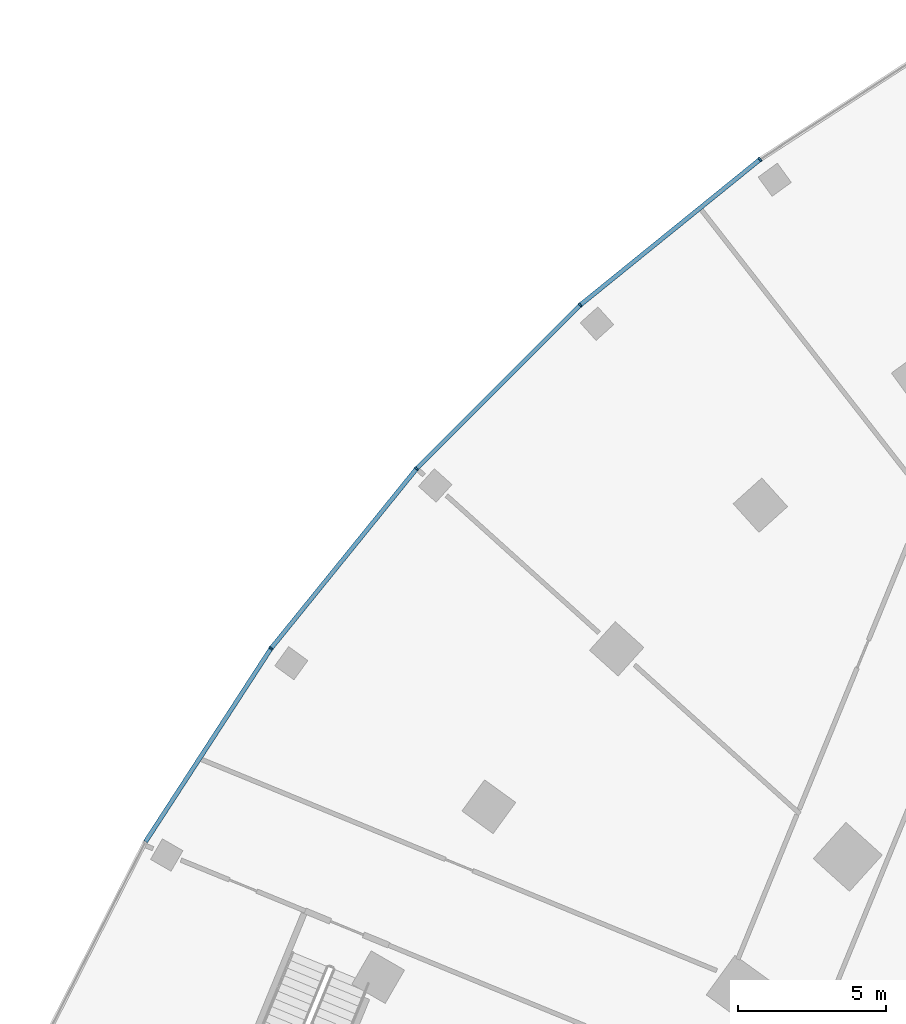
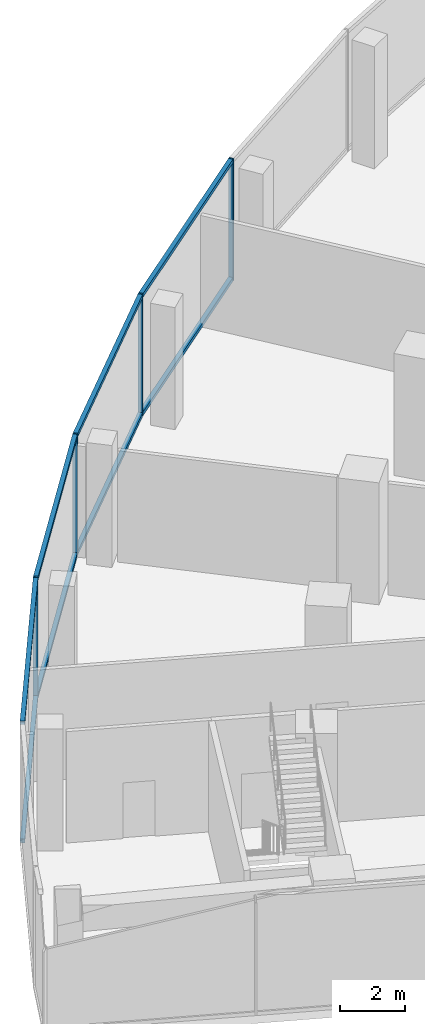
# One storey, part 6 of 40: 12 members, 1 element without a shape of its own.
"""IFC4 building model written with IfcOpenShell, lengths in metres."""

import ifcopenshell
import ifcopenshell.guid

model = None  # the IFC model being written
_history = None  # IfcOwnerHistory: only IFC2X3 demands one
_inside = {}  # id of a spatial element -> (the spatial element, [elements in it])
_under = {}  # id of a project, library or spatial element -> (it, [spatial elements below it])
_declared = {}  # id of a project -> (the project, [libraries it declares])
_typed = {}  # id of a type object -> (the type object, [elements of that type])
_made_of = {}  # id of a material, layer set ... -> (it, [elements and type objects made of it])


def new_model(schema):
    """Start an empty IFC model of exactly this schema.

    Asked for "IFC4X3", IfcOpenShell would pick the latest addendum, in which some entities
    have other attributes; the version numbers below select the first issue.
    IFC2X3 requires an IfcOwnerHistory on every rooted entity: one is made here for all.
    """
    global model, _history
    if schema == "IFC4X3":
        model = ifcopenshell.file(schema_version=(4, 3, 0, 0))
    else:
        model = ifcopenshell.file(schema=schema)
    _inside.clear()
    _under.clear()
    _declared.clear()
    _typed.clear()
    _made_of.clear()
    _history = None
    if model.schema == "IFC2X3":
        org = make("IfcOrganization", Name="unknown")
        user = make(
            "IfcPersonAndOrganization",
            ThePerson=make("IfcPerson", FamilyName="unknown"),
            TheOrganization=org,
        )
        app = make(
            "IfcApplication",
            ApplicationDeveloper=org,
            Version="unknown",
            ApplicationFullName="unknown",
            ApplicationIdentifier="unknown",
        )
        _history = make(
            "IfcOwnerHistory",
            OwningUser=user,
            OwningApplication=app,
            ChangeAction="ADDED",
            CreationDate=0,
        )
    return model


def make(cls, **values):
    """One entity of the class cls with the attributes given. An attribute that is None is left unset."""
    return model.create_entity(
        cls, **{name: value for name, value in values.items() if value is not None}
    )


def rooted(cls, **values):
    """An entity with a GlobalId (a new one), such as an element, a storey or a relation."""
    return make(cls, GlobalId=ifcopenshell.guid.new(), OwnerHistory=_history, **values)


def si_unit(unit_type, name, prefix=None):
    """IfcSIUnit, for example si_unit("LENGTHUNIT", "METRE", prefix="MILLI")."""
    return make("IfcSIUnit", UnitType=unit_type, Prefix=prefix, Name=name)


def assignment(units):
    """IfcUnitAssignment: the units of a project."""
    return None if units is None else make("IfcUnitAssignment", Units=units)


def point(xyz):
    """IfcCartesianPoint."""
    return None if xyz is None else make("IfcCartesianPoint", Coordinates=xyz)


def direction(xyz):
    """IfcDirection."""
    return None if xyz is None else make("IfcDirection", DirectionRatios=xyz)


def frame(location, z_axis=None, x_axis=None):
    """IfcAxis2Placement3D, a coordinate frame: its origin and axes. An axis left out is left unset."""
    return make(
        "IfcAxis2Placement3D",
        Location=point(location),
        Axis=direction(z_axis),
        RefDirection=direction(x_axis),
    )


def frame_2d(location, x_axis=None):
    """IfcAxis2Placement2D, a coordinate frame in the plane: its origin and x axis."""
    return make(
        "IfcAxis2Placement2D", Location=point(location), RefDirection=direction(x_axis)
    )


def origin():
    """The frame at (0, 0, 0) with its axes left unset."""
    return frame((0.0, 0.0, 0.0))


def origin_2d():
    """The frame at (0, 0) in the plane with its x axis left unset."""
    return frame_2d((0.0, 0.0))


def place(relative_to, where):
    """IfcLocalPlacement: puts the frame where relative to a parent placement (None: the world)."""
    return make(
        "IfcLocalPlacement", PlacementRelTo=relative_to, RelativePlacement=where
    )


def context(
    kind, dimensions, precision=None, world=None, true_north=None, identifier=None
):
    """IfcGeometricRepresentationContext, for example the 3D "Model" context."""
    return make(
        "IfcGeometricRepresentationContext",
        ContextIdentifier=identifier,
        ContextType=kind,
        CoordinateSpaceDimension=dimensions,
        Precision=precision,
        WorldCoordinateSystem=world,
        TrueNorth=true_north,
    )


def subcontext(parent, identifier, kind, view, scale=None):
    """IfcGeometricRepresentationSubContext, for example "Body" below "Model"."""
    return make(
        "IfcGeometricRepresentationSubContext",
        ContextIdentifier=identifier,
        ContextType=kind,
        ParentContext=parent,
        TargetScale=scale,
        TargetView=view,
    )


def project(units=None, contexts=None):
    """IfcProject with its units and contexts."""
    return rooted(
        "IfcProject",
        Name="project",
        RepresentationContexts=contexts,
        UnitsInContext=assignment(units),
    )


def spatial(cls, under=None, at=None, **own):
    """A site, building, storey or space (cls), placed at a placement, below another one or the project."""
    s = rooted(cls, ObjectPlacement=at, **own)
    if under is not None:
        _under.setdefault(under.id(), (under, []))[1].append(s)
    return s


def profile(cls, at=None, kind="AREA", **sizes):
    """A parametric profile (cls). Its sizes go by their IFC names, for example OverallWidth=200.0."""
    return make(cls, ProfileType=kind, Position=at, **sizes)


def rectangle(**sizes):
    """IfcRectangleProfileDef."""
    return profile("IfcRectangleProfileDef", **sizes)


def extrude(swept, where, along, depth):
    """IfcExtrudedAreaSolid: the profile swept, set in the frame where, extruded along a direction by depth."""
    return make(
        "IfcExtrudedAreaSolid",
        SweptArea=swept,
        Position=where,
        ExtrudedDirection=direction(along),
        Depth=depth,
    )


def shape(context_of_items, identifier, shape_type, items):
    """IfcShapeRepresentation: the items that make up one representation, for example the "Body"."""
    return make(
        "IfcShapeRepresentation",
        ContextOfItems=context_of_items,
        RepresentationIdentifier=identifier,
        RepresentationType=shape_type,
        Items=items,
    )


def material(Name=None, Category=None):
    """IfcMaterial."""
    return make("IfcMaterial", Name=Name, Category=Category)


def layer(
    of_material, thickness, ventilated=None, Name=None, Category=None, Priority=None
):
    """IfcMaterialLayer: one layer of a wall or slab, of a material (None: an air gap)."""
    return make(
        "IfcMaterialLayer",
        Material=of_material,
        LayerThickness=thickness,
        IsVentilated=ventilated,
        Name=Name,
        Category=Category,
        Priority=Priority,
    )


def layer_set(layers, Name=None):
    """IfcMaterialLayerSet."""
    return make("IfcMaterialLayerSet", MaterialLayers=layers, LayerSetName=Name)


def material_profile(
    of_material, cross_section, Name=None, Category=None, Priority=None
):
    """IfcMaterialProfile: a cross section and its material."""
    return make(
        "IfcMaterialProfile",
        Name=Name,
        Material=of_material,
        Profile=cross_section,
        Priority=Priority,
        Category=Category,
    )


def profile_set(profiles, Name=None, composite=None):
    """IfcMaterialProfileSet."""
    return make(
        "IfcMaterialProfileSet",
        Name=Name,
        MaterialProfiles=profiles,
        CompositeProfile=composite,
    )


def made_of(thing, what):
    """Note that an element or type object is made of a material, layer set ...; save() writes the relation."""
    if what is not None:
        _made_of.setdefault(what.id(), (what, []))[1].append(thing)
    return thing


def type_object(cls, material=None, **own):
    """A type object (cls), such as IfcWallType, which elements share."""
    return made_of(rooted(cls, **own), material)


def element(
    cls,
    number,
    at=None,
    inside=None,
    cuts=None,
    type_object=None,
    material=None,
    context=None,
    identifier="Body",
    shape_type=None,
    held_by="IfcProductDefinitionShape",
    body=None,
    shapes=None,
    **own,
):
    """One element of the class cls, such as IfcWall. Its Tag is "e" and its number.

    at: its placement. inside: the storey or other place that contains it. cuts: it is an
    opening in that element (IfcRelVoidsElement). A single representation is given by context,
    identifier, shape_type and body (its items); several are given by shapes. held_by: the class
    of the entity that holds the representations. save() writes the other relations.
    """
    e = rooted(cls, Tag="e%d" % number, ObjectPlacement=at, **own)
    if body is not None:
        shapes = [shape(context, identifier, shape_type, body)]
    if shapes is not None:
        e.Representation = make(held_by, Representations=shapes)
    if inside is not None:
        _inside.setdefault(inside.id(), (inside, []))[1].append(e)
    if cuts is not None:
        rooted(
            "IfcRelVoidsElement", RelatingBuildingElement=cuts, RelatedOpeningElement=e
        )
    if type_object is not None:
        _typed.setdefault(type_object.id(), (type_object, []))[1].append(e)
    return made_of(e, material)


def aggregate(whole, parts):
    """IfcRelAggregates: a whole, such as a stair, and the parts it consists of."""
    return rooted("IfcRelAggregates", RelatingObject=whole, RelatedObjects=parts)


def save(model, path):
    """Write the relations noted so far, then the file.

    IfcRelAggregates (storeys below a building ...), IfcRelContainedInSpatialStructure (elements
    in a storey), IfcRelDefinesByType, IfcRelAssociatesMaterial and IfcRelDeclares: one each for
    every whole, place, type object, material and project.
    """
    for whole, parts in _under.values():
        aggregate(whole, parts)
    for where, things in _inside.values():
        rooted(
            "IfcRelContainedInSpatialStructure",
            RelatedElements=things,
            RelatingStructure=where,
        )
    for kind, things in _typed.values():
        rooted("IfcRelDefinesByType", RelatedObjects=things, RelatingType=kind)
    for what, things in _made_of.values():
        rooted("IfcRelAssociatesMaterial", RelatedObjects=things, RelatingMaterial=what)
    for by, libraries in _declared.values():
        rooted("IfcRelDeclares", RelatingContext=by, RelatedDefinitions=libraries)
    model.write(path)


model = new_model("IFC4")

# Units and contexts
model_context = context("Model", 3, precision=1e-05, world=origin(), true_north=direction((0.0, 1.0)))
body_context = subcontext(model_context, "Body", "Model", "MODEL_VIEW")
ifc_project = project(units=[si_unit("LENGTHUNIT", "METRE"), si_unit("AREAUNIT", "SQUARE_METRE"), si_unit("VOLUMEUNIT", "CUBIC_METRE"), si_unit("PLANEANGLEUNIT", "RADIAN"), si_unit("MASSUNIT", "GRAM", prefix="KILO")], contexts=[model_context])

# Site, building, storey
site_placement = place(None, origin())
site = spatial("IfcSite", under=ifc_project, at=site_placement, CompositionType="ELEMENT")
building_placement = place(site_placement, origin())
building = spatial("IfcBuilding", under=site, at=building_placement, Name="Stone Belt Terrace Tower", CompositionType="ELEMENT")
storey_placement = place(building_placement, frame((0.0, 0.0, 11.60009765625)))
storey = spatial("IfcBuildingStorey", under=building, at=storey_placement, Name="L02", CompositionType="ELEMENT", Elevation=11.60009765625)

# Curtain wall, members
ifc_material = material(Name="Aluminium 6063-T6 anodised frame", Category="aluminium")
ifc_layer = layer(ifc_material, 0.14990234375)
ifc_layer_set = layer_set([ifc_layer], Name="CW-D podium shopfront")
curtain_wall_type = type_object("IfcCurtainWallType", Name="CW-D podium shopfront", PredefinedType="NOTDEFINED", material=ifc_layer_set)
curtain_wall_placement = place(storey_placement, origin())
curtain_wall = element("IfcCurtainWall", 1, at=curtain_wall_placement, inside=storey, type_object=curtain_wall_type, Name="CW-D convex face L02", PredefinedType="NOTDEFINED")
ifc_material_profile_1 = material_profile(ifc_material, rectangle(XDim=0.14990234375, YDim=0.06005859375, at=origin_2d()), Name="Aluminium 6063-T6 60x150")
ifc_profile_set_1 = profile_set([ifc_material_profile_1], Name="Aluminium 6063-T6 anodised frame")
member_type_1 = type_object("IfcMemberType", Name="CW-D mullion 60 x 150", PredefinedType="MULLION", material=ifc_profile_set_1)
member_1_placement = place(storey_placement, frame((-43.834228515625, 60.33251953125, 0.0), z_axis=(0.0, 0.0, 1.0), x_axis=(0.587785252292, -0.809016994375, 0.0)))
member_1 = element("IfcMember", 2, at=member_1_placement, type_object=member_type_1, Name="CW-D mullion 19", PredefinedType="MULLION", context=body_context, shape_type="SweptSolid", body=[
    extrude(rectangle(XDim=0.14990234375, YDim=0.06005859375, at=origin_2d()), origin(), (0.0, 0.0, 1.0), 4.599853515625),
])
member_2_placement = place(storey_placement, frame((-49.900390625, 55.420166015625, 0.0), z_axis=(0.0, 0.0, 1.0), x_axis=(0.669130606359, -0.743144825477, 0.0)))
member_2 = element("IfcMember", 3, at=member_2_placement, type_object=member_type_1, Name="CW-D mullion 20", PredefinedType="MULLION", context=body_context, shape_type="SweptSolid", body=[
    extrude(rectangle(XDim=0.14990234375, YDim=0.06005859375, at=origin_2d()), origin(), (0.0, 0.0, 1.0), 4.599853515625),
])
member_3_placement = place(storey_placement, frame((-55.420166015625, 49.900390625, 0.0), z_axis=(0.0, 0.0, 1.0), x_axis=(0.743144825477, -0.669130606359, 0.0)))
member_3 = element("IfcMember", 4, at=member_3_placement, type_object=member_type_1, Name="CW-D mullion 21", PredefinedType="MULLION", context=body_context, shape_type="SweptSolid", body=[
    extrude(rectangle(XDim=0.14990234375, YDim=0.06005859375, at=origin_2d()), origin(), (0.0, 0.0, 1.0), 4.599853515625),
])
member_4_placement = place(storey_placement, frame((-60.33251953125, 43.834228515625, 0.0), z_axis=(0.0, 0.0, 1.0), x_axis=(0.809016994375, -0.587785252292, 0.0)))
member_4 = element("IfcMember", 5, at=member_4_placement, type_object=member_type_1, Name="CW-D mullion 22", PredefinedType="MULLION", context=body_context, shape_type="SweptSolid", body=[
    extrude(rectangle(XDim=0.14990234375, YDim=0.06005859375, at=origin_2d()), origin(), (0.0, 0.0, 1.0), 4.599853515625),
])
ifc_material_profile_2 = material_profile(ifc_material, rectangle(XDim=0.14990234375, YDim=0.139892578125, at=origin_2d()), Name="Aluminium 6063-T6 150x140")
ifc_profile_set_2 = profile_set([ifc_material_profile_2], Name="Aluminium 6063-T6 anodised frame")
member_type_2 = type_object("IfcMemberType", Name="CW-D transom 140 x 150", PredefinedType="USERDEFINED", material=ifc_profile_set_2)
member_5_placement = place(storey_placement, frame((-43.860595703125, 60.311279296875, 0.06982421875), z_axis=(-0.777139794023, -0.62932800712, 0.0), x_axis=(0.62932800712, -0.777139794023, 0.0)))
member_5 = element("IfcMember", 6, at=member_5_placement, type_object=member_type_2, Name="CW-D transom 19.1", ObjectType="TRANSOM", PredefinedType="USERDEFINED", context=body_context, shape_type="SweptSolid", body=[
    extrude(rectangle(XDim=0.14990234375, YDim=0.139892578125, at=origin_2d()), origin(), (0.0, 0.0, 1.0), 7.73828125),
])
member_6_placement = place(storey_placement, frame((-43.860595703125, 60.311279296875, 4.52978515625), z_axis=(-0.777139794023, -0.62932800712, 0.0), x_axis=(0.62932800712, -0.777139794023, 0.0)))
member_6 = element("IfcMember", 7, at=member_6_placement, type_object=member_type_2, Name="CW-D transom 19.2", ObjectType="TRANSOM", PredefinedType="USERDEFINED", context=body_context, shape_type="SweptSolid", body=[
    extrude(rectangle(XDim=0.14990234375, YDim=0.139892578125, at=origin_2d()), origin(), (0.0, 0.0, 1.0), 7.73828125),
])
member_7_placement = place(storey_placement, frame((-49.924560546875, 55.396240234375, 0.06982421875), z_axis=(-0.707106781187, -0.707106781187, 0.0), x_axis=(0.707106781187, -0.707106781187, 0.0)))
member_7 = element("IfcMember", 8, at=member_7_placement, type_object=member_type_2, Name="CW-D transom 20.1", ObjectType="TRANSOM", PredefinedType="USERDEFINED", context=body_context, shape_type="SweptSolid", body=[
    extrude(rectangle(XDim=0.14990234375, YDim=0.139892578125, at=origin_2d()), origin(), (0.0, 0.0, 1.0), 7.738037109375),
])
member_8_placement = place(storey_placement, frame((-49.924560546875, 55.396240234375, 4.52978515625), z_axis=(-0.707106781187, -0.707106781187, 0.0), x_axis=(0.707106781187, -0.707106781187, 0.0)))
member_8 = element("IfcMember", 9, at=member_8_placement, type_object=member_type_2, Name="CW-D transom 20.2", ObjectType="TRANSOM", PredefinedType="USERDEFINED", context=body_context, shape_type="SweptSolid", body=[
    extrude(rectangle(XDim=0.14990234375, YDim=0.139892578125, at=origin_2d()), origin(), (0.0, 0.0, 1.0), 7.738037109375),
])
member_9_placement = place(storey_placement, frame((-55.44140625, 49.874267578125, 0.06982421875), z_axis=(-0.62932800712, -0.777139794023, 0.0), x_axis=(0.777139794023, -0.62932800712, 0.0)))
member_9 = element("IfcMember", 10, at=member_9_placement, type_object=member_type_2, Name="CW-D transom 21.1", ObjectType="TRANSOM", PredefinedType="USERDEFINED", context=body_context, shape_type="SweptSolid", body=[
    extrude(rectangle(XDim=0.14990234375, YDim=0.139892578125, at=origin_2d()), origin(), (0.0, 0.0, 1.0), 7.73828125),
])
member_10_placement = place(storey_placement, frame((-55.44140625, 49.874267578125, 4.52978515625), z_axis=(-0.62932800712, -0.777139794023, 0.0), x_axis=(0.777139794023, -0.62932800712, 0.0)))
member_10 = element("IfcMember", 11, at=member_10_placement, type_object=member_type_2, Name="CW-D transom 21.2", ObjectType="TRANSOM", PredefinedType="USERDEFINED", context=body_context, shape_type="SweptSolid", body=[
    extrude(rectangle(XDim=0.14990234375, YDim=0.139892578125, at=origin_2d()), origin(), (0.0, 0.0, 1.0), 7.73828125),
])
member_11_placement = place(storey_placement, frame((-60.35107421875, 43.8056640625, 0.06982421875), z_axis=(-0.54462677088, -0.83867853224, 0.0), x_axis=(0.83867853224, -0.54462677088, 0.0)))
member_11 = element("IfcMember", 12, at=member_11_placement, type_object=member_type_2, Name="CW-D transom 22.1", ObjectType="TRANSOM", PredefinedType="USERDEFINED", context=body_context, shape_type="SweptSolid", body=[
    extrude(rectangle(XDim=0.14990234375, YDim=0.139892578125, at=origin_2d()), origin(), (0.0, 0.0, 1.0), 7.738037109375),
])
member_12_placement = place(storey_placement, frame((-60.35107421875, 43.8056640625, 4.52978515625), z_axis=(-0.54462677088, -0.83867853224, 0.0), x_axis=(0.83867853224, -0.54462677088, 0.0)))
member_12 = element("IfcMember", 13, at=member_12_placement, type_object=member_type_2, Name="CW-D transom 22.2", ObjectType="TRANSOM", PredefinedType="USERDEFINED", context=body_context, shape_type="SweptSolid", body=[
    extrude(rectangle(XDim=0.14990234375, YDim=0.139892578125, at=origin_2d()), origin(), (0.0, 0.0, 1.0), 7.738037109375),
])
aggregate(curtain_wall, [member_1, member_2, member_3, member_4, member_5, member_6, member_7, member_8, member_9, member_10, member_11, member_12])

save(model, "model.ifc")
